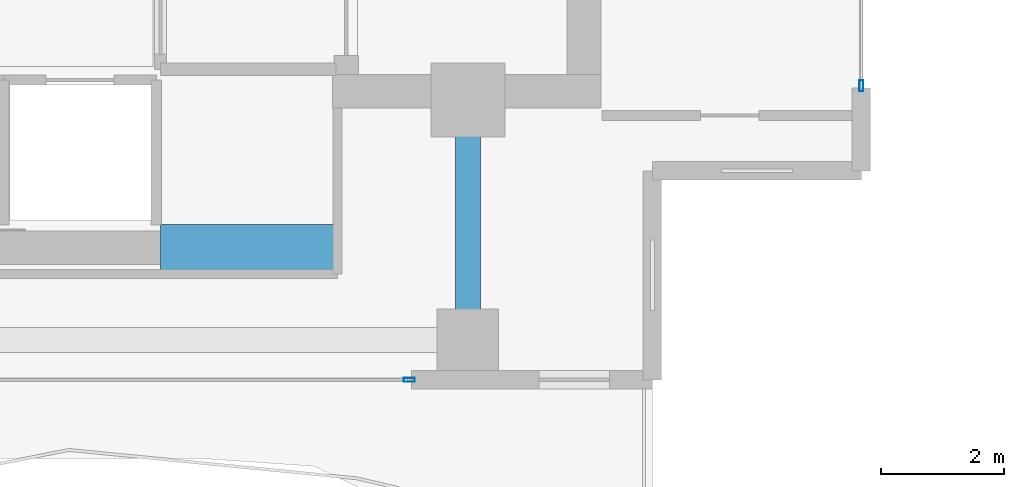
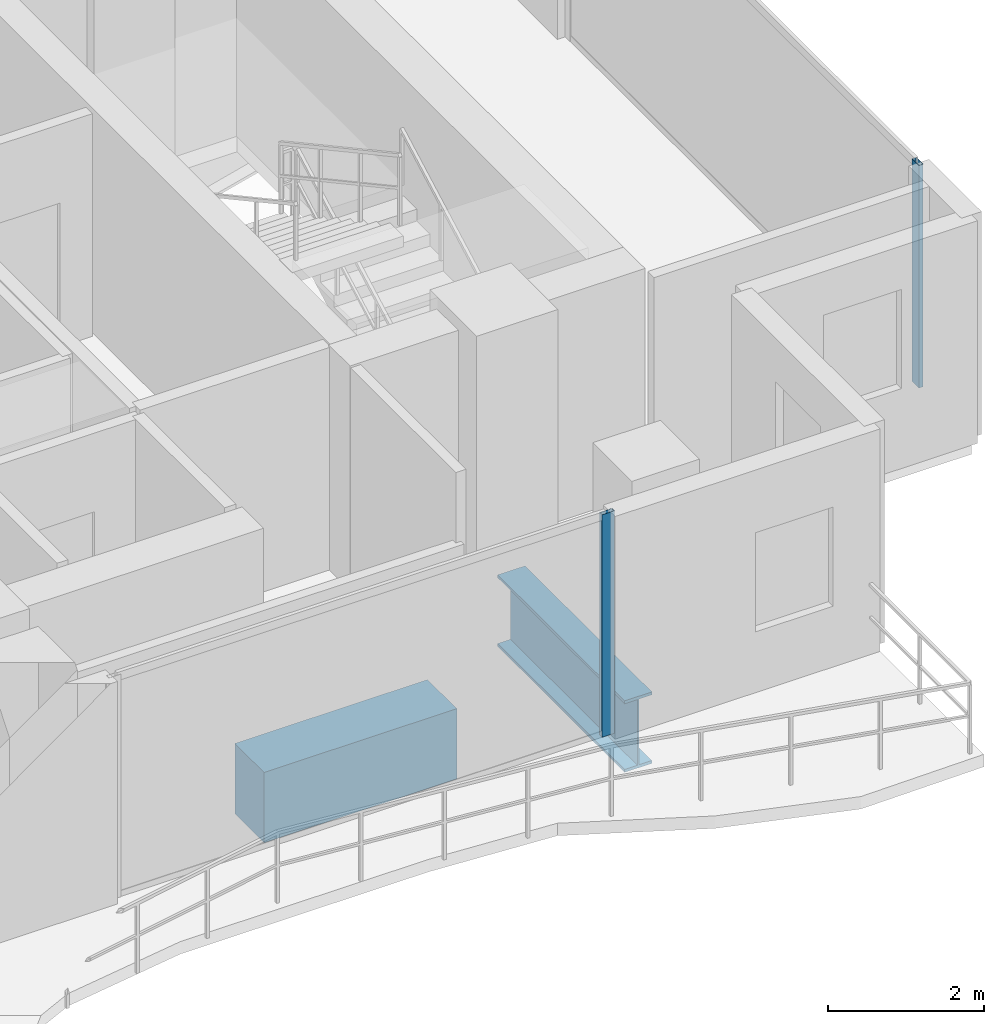
# One storey, part 9 of 28: 2 beams, 2 members, 2 elements without a shape of their own.
"""IFC4 building model written with IfcOpenShell, lengths in metres."""

from ifc_helpers import new_model, si_unit, direction, frame, origin, origin_2d, place, context, subcontext, project, spatial, rectangle, hollow_rectangle, i_section, extrude, material, layer, layer_set, material_profile, profile_set, type_object, element, aggregate, save


model = new_model("IFC4")

# Units and contexts
model_context = context("Model", 3, precision=1e-05, world=origin(), true_north=direction((0.0, 1.0)))
body_context = subcontext(model_context, "Body", "Model", "MODEL_VIEW")
ifc_project = project(units=[si_unit("LENGTHUNIT", "METRE"), si_unit("AREAUNIT", "SQUARE_METRE"), si_unit("VOLUMEUNIT", "CUBIC_METRE"), si_unit("PLANEANGLEUNIT", "RADIAN"), si_unit("MASSUNIT", "GRAM", prefix="KILO")], contexts=[model_context])

# Site, building, storey
site_placement = place(None, origin())
site = spatial("IfcSite", under=ifc_project, at=site_placement, CompositionType="ELEMENT")
building_placement = place(site_placement, origin())
building = spatial("IfcBuilding", under=site, at=building_placement, Name="Zuhayl Quay Hotel", CompositionType="ELEMENT")
storey_placement = place(building_placement, frame((0.0, 0.0, 239.64990234375)))
storey = spatial("IfcBuildingStorey", under=building, at=storey_placement, Name="L60", CompositionType="ELEMENT", Elevation=239.64990234375)

# Beams
ifc_material_1 = material(Name="Concrete C60/75", Category="concrete")
ifc_material_profile_1 = material_profile(ifc_material_1, rectangle(XDim=0.75, YDim=1.10009765625, at=origin_2d()), Name="RC750X1100")
ifc_profile_set_1 = profile_set([ifc_material_profile_1], Name="Concrete C60/75")
beam_type_1 = type_object("IfcBeamType", Name="BM_CB2_RC750", PredefinedType="T_BEAM", material=ifc_profile_set_1)
beam_1_placement = place(storey_placement, frame((8.800048828125, 2.14990234375, -0.809814453125), z_axis=(1.0, 0.0, 0.0), x_axis=(0.0, 1.0, 0.0)))
element("IfcBeam", 1, at=beam_1_placement, inside=storey, type_object=beam_type_1, Name="L60 Core Coupling Beam SE", PredefinedType="T_BEAM", context=body_context, shape_type="SweptSolid", body=[
    extrude(rectangle(XDim=0.75, YDim=1.10009765625, at=origin_2d()), origin(), (0.0, 0.0, 1.0), 2.849853515625),
])
ifc_material_2 = material(Name="Steel ASTM A913 Grade 65", Category="steel")
ifc_material_profile_2 = material_profile(ifc_material_2, i_section(OverallWidth=0.404052734375, OverallDepth=1.117919921875, WebThickness=0.026123046875, FlangeThickness=0.044921875, at=origin_2d()), Name="W44X335")
ifc_profile_set_2 = profile_set([ifc_material_profile_2], Name="Steel ASTM A913 Grade 65")
beam_type_2 = type_object("IfcBeamType", Name="BM_TG1_W44X335", PredefinedType="BEAM", material=ifc_profile_set_2)
beam_2_placement = place(storey_placement, frame((13.800048828125, 0.85009765625, -0.81884765625), z_axis=(0.0, 1.0, 0.0), x_axis=(-1.0, 0.0, 0.0)))
element("IfcBeam", 2, at=beam_2_placement, inside=storey, type_object=beam_type_2, Name="L60 Floor Beam FG_S_L60_4", PredefinedType="BEAM", context=body_context, shape_type="SweptSolid", body=[
    extrude(i_section(OverallWidth=0.404052734375, OverallDepth=1.117919921875, WebThickness=0.026123046875, FlangeThickness=0.044921875, at=origin_2d()), origin(), (0.0, 0.0, 1.0), 3.25),
])

# Curtain wall, member
ifc_material_3 = material(Name="Anodised Aluminium 6063-T6", Category="aluminium")
ifc_layer = layer(ifc_material_3, 0.169921875, Name="Anodised Aluminium 6063-T6", Category="aluminium")
ifc_layer_set = layer_set([ifc_layer], Name="Anodised Aluminium 6063-T6")
curtain_wall_type = type_object("IfcCurtainWallType", Name="CW_SYS_Z4", PredefinedType="USERDEFINED", material=ifc_layer_set)
curtain_wall_1_placement = place(storey_placement, origin())
curtain_wall_1 = element("IfcCurtainWall", 3, at=curtain_wall_1_placement, inside=storey, type_object=curtain_wall_type, Name="L60 Curtain Wall ENV_L60_E14_CW1", ObjectType="UNITISED CURTAIN WALL", PredefinedType="USERDEFINED")
ifc_material_4 = material(Name="Black-anodised aluminium 6063-T6", Category="aluminium")
ifc_material_profile_3 = material_profile(ifc_material_4, hollow_rectangle(XDim=0.06494140625, YDim=0.179931640625, WallThickness=0.00341796875, at=origin_2d()), Name="ALU180X65")
ifc_profile_set_3 = profile_set([ifc_material_profile_3], Name="Black-anodised aluminium 6063-T6")
member_type = type_object("IfcMemberType", Name="MB_CW_MUL_180", PredefinedType="MULLION", material=ifc_profile_set_3)
member_1_placement = place(storey_placement, frame((20.199951171875, 4.782470703125, 0.0), z_axis=(0.0, 0.0, 1.0), x_axis=(1.0, 0.0, 0.0)))
member_1 = element("IfcMember", 4, at=member_1_placement, type_object=member_type, Name="CW-Z4 mullion 2", PredefinedType="MULLION", context=body_context, shape_type="SweptSolid", body=[
    extrude(hollow_rectangle(XDim=0.06494140625, YDim=0.179931640625, WallThickness=0.00341796875, at=origin_2d()), origin(), (0.0, 0.0, 1.0), 3.47998046875),
])
aggregate(curtain_wall_1, [member_1])

curtain_wall_2_placement = place(storey_placement, origin())
curtain_wall_2 = element("IfcCurtainWall", 5, at=curtain_wall_2_placement, inside=storey, type_object=curtain_wall_type, Name="L60 Curtain Wall ENV_L60_S_CW1", ObjectType="UNITISED CURTAIN WALL", PredefinedType="USERDEFINED")
member_2_placement = place(storey_placement, frame((12.847412109375, 0.0, 0.0), z_axis=(0.0, 0.0, 1.0), x_axis=(0.0, -1.0, 0.0)))
member_2 = element("IfcMember", 6, at=member_2_placement, type_object=member_type, Name="CW-Z4 mullion 1", PredefinedType="MULLION", context=body_context, shape_type="SweptSolid", body=[
    extrude(hollow_rectangle(XDim=0.06494140625, YDim=0.179931640625, WallThickness=0.00341796875, at=origin_2d()), origin(), (0.0, 0.0, 1.0), 3.47998046875),
])
aggregate(curtain_wall_2, [member_2])

save(model, "model.ifc")
